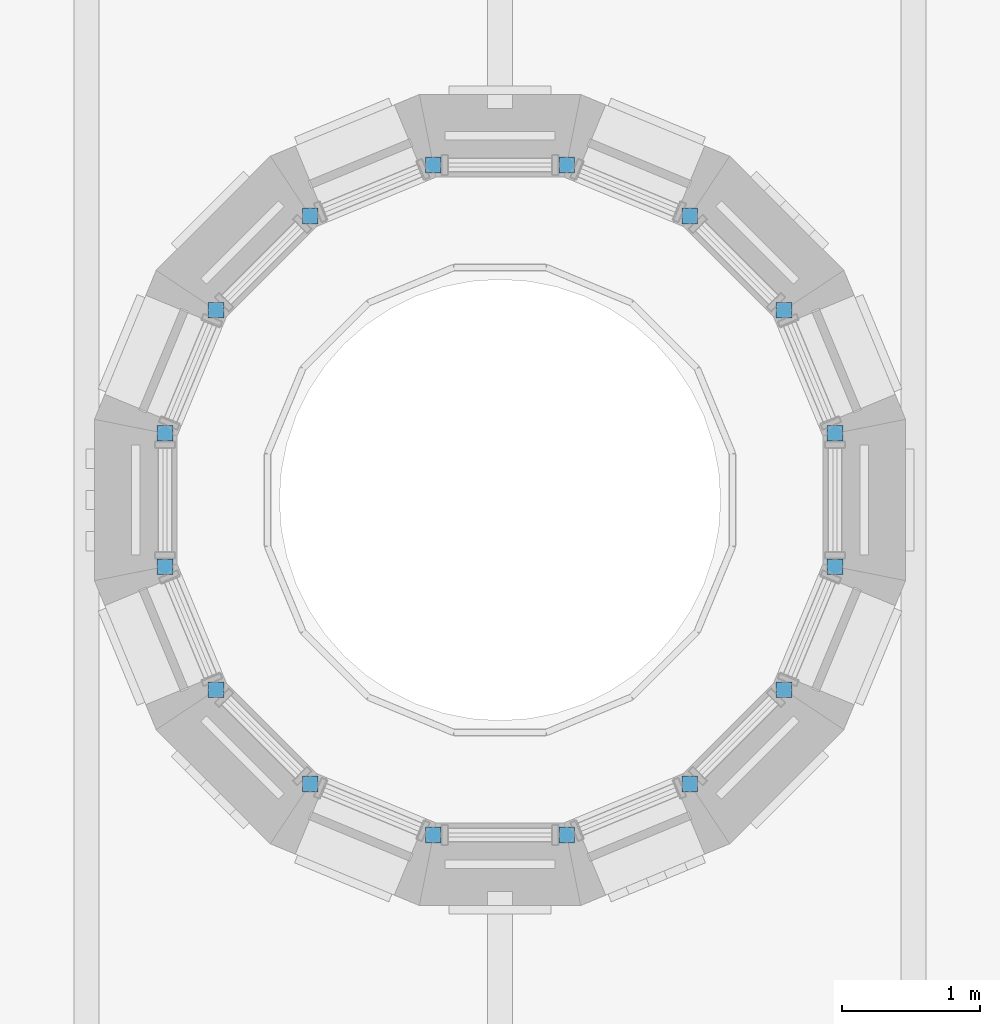
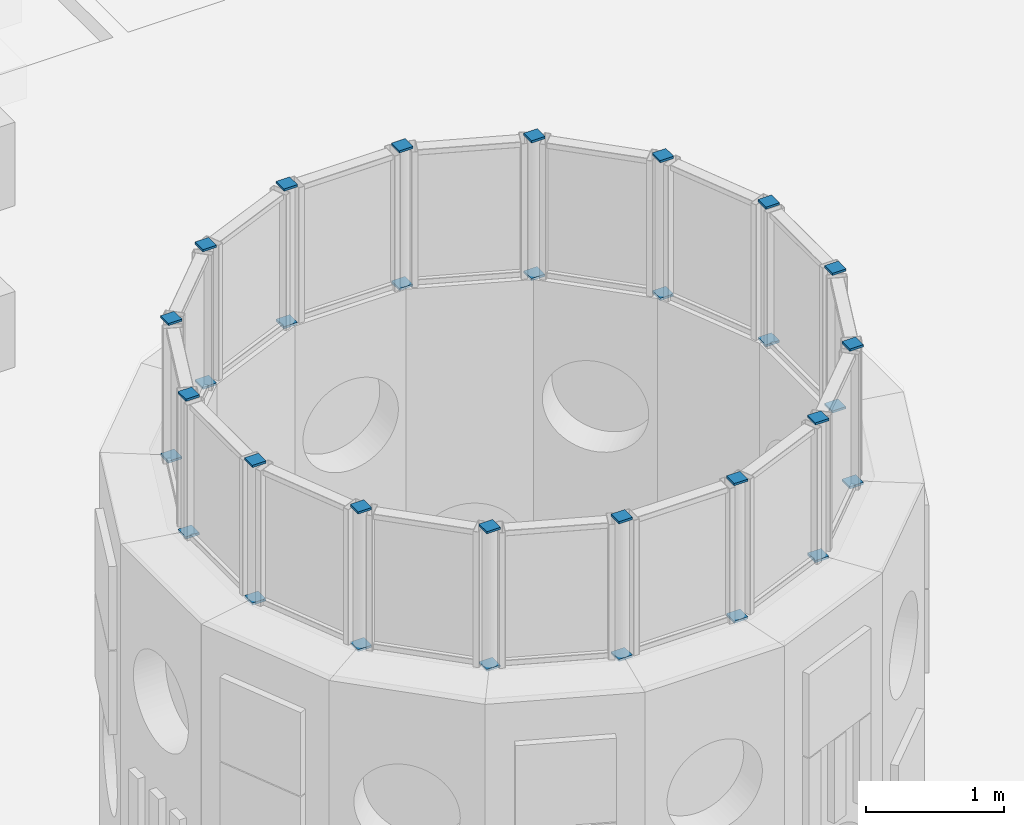
# One storey, part 60 of 98: 32 discrete accessories.
"""IFC4 building model written with IfcOpenShell, lengths in metres."""

from ifc_helpers import new_model, si_unit, direction, frame, origin, origin_2d, place, context, subcontext, project, spatial, rectangle, extrude, material, type_object, element, save


model = new_model("IFC4")

# Units and contexts
model_context = context("Model", 3, precision=1e-05, world=origin(), true_north=direction((0.0, 1.0)))
body_context = subcontext(model_context, "Body", "Model", "MODEL_VIEW")
ifc_project = project(units=[si_unit("LENGTHUNIT", "METRE"), si_unit("AREAUNIT", "SQUARE_METRE"), si_unit("VOLUMEUNIT", "CUBIC_METRE"), si_unit("PLANEANGLEUNIT", "RADIAN"), si_unit("MASSUNIT", "GRAM", prefix="KILO")], contexts=[model_context])

# Site, building, storey
site_placement = place(None, origin())
site = spatial("IfcSite", under=ifc_project, at=site_placement, CompositionType="ELEMENT")
building_placement = place(site_placement, origin())
building = spatial("IfcBuilding", under=site, at=building_placement, Name="Sun Court Science Centre", CompositionType="ELEMENT")
storey_placement = place(building_placement, frame((0.0, 0.0, 15.75)))
storey = spatial("IfcBuildingStorey", under=building, at=storey_placement, Name="L03", CompositionType="ELEMENT", Elevation=15.75)

# Discrete accessories
ifc_material = material(Name="Steel S355", Category="steel")
discrete_accessory_type = type_object("IfcDiscreteAccessoryType", Name="Hollow section end plate 20", PredefinedType="BRACKET", material=ifc_material)
for number, where, z_axis, x_axis, name in (
    (1, (32.4306640625, 11.9833984375, 3.429931640625), (0.0, 0.0, 1.0), (1.0, 0.0, 0.0), "Cone 3 clerestory post 1 end plate"),
    (2, (32.4306640625, 11.9833984375, 4.64990234375), (0.0, 0.0, 1.0), (1.0, 0.0, 0.0), "Cone 3 clerestory post 1 end plate"),
    (3, (32.060546875, 12.876953125, 3.429931640625), (0.0, 0.0, 1.0), (1.0, 0.0, 0.0), "Cone 3 clerestory post 2 end plate"),
    (4, (32.060546875, 12.876953125, 4.64990234375), (0.0, 0.0, 1.0), (1.0, 0.0, 0.0), "Cone 3 clerestory post 2 end plate"),
    (5, (31.376953125, 13.560546875, 3.429931640625), (0.0, 0.0, 1.0), (1.0, 0.0, 0.0), "Cone 3 clerestory post 3 end plate"),
    (6, (31.376953125, 13.560546875, 4.64990234375), (0.0, 0.0, 1.0), (1.0, 0.0, 0.0), "Cone 3 clerestory post 3 end plate"),
    (7, (30.4833984375, 13.9306640625, 3.429931640625), (0.0, 0.0, 1.0), (1.0, 0.0, 0.0), "Cone 3 clerestory post 4 end plate"),
    (8, (30.4833984375, 13.9306640625, 4.64990234375), (0.0, 0.0, 1.0), (1.0, 0.0, 0.0), "Cone 3 clerestory post 4 end plate"),
    (9, (29.5166015625, 13.9306640625, 3.429931640625), (0.0, 0.0, 1.0), (1.0, 0.0, 0.0), "Cone 3 clerestory post 5 end plate"),
    (10, (29.5166015625, 13.9306640625, 4.64990234375), (0.0, 0.0, 1.0), (1.0, 0.0, 0.0), "Cone 3 clerestory post 5 end plate"),
    (11, (28.623046875, 13.560546875, 3.429931640625), (0.0, 0.0, 1.0), (1.0, 0.0, 0.0), "Cone 3 clerestory post 6 end plate"),
    (12, (28.623046875, 13.560546875, 4.64990234375), (0.0, 0.0, 1.0), (1.0, 0.0, 0.0), "Cone 3 clerestory post 6 end plate"),
    (13, (27.939453125, 12.876953125, 3.429931640625), (0.0, 0.0, 1.0), (1.0, 0.0, 0.0), "Cone 3 clerestory post 7 end plate"),
    (14, (27.939453125, 12.876953125, 4.64990234375), (0.0, 0.0, 1.0), (1.0, 0.0, 0.0), "Cone 3 clerestory post 7 end plate"),
    (15, (27.5693359375, 11.9833984375, 3.429931640625), (0.0, 0.0, 1.0), (1.0, 0.0, 0.0), "Cone 3 clerestory post 8 end plate"),
    (16, (27.5693359375, 11.9833984375, 4.64990234375), (0.0, 0.0, 1.0), (1.0, 0.0, 0.0), "Cone 3 clerestory post 8 end plate"),
    (17, (27.5693359375, 11.0166015625, 3.429931640625), (0.0, 0.0, 1.0), (1.0, 0.0, 0.0), "Cone 3 clerestory post 9 end plate"),
    (18, (27.5693359375, 11.0166015625, 4.64990234375), (0.0, 0.0, 1.0), (1.0, 0.0, 0.0), "Cone 3 clerestory post 9 end plate"),
    (19, (27.939453125, 10.123046875, 3.429931640625), (0.0, 0.0, 1.0), (1.0, 0.0, 0.0), "Cone 3 clerestory post 10 end plate"),
    (20, (27.939453125, 10.123046875, 4.64990234375), (0.0, 0.0, 1.0), (1.0, 0.0, 0.0), "Cone 3 clerestory post 10 end plate"),
    (21, (28.623046875, 9.439453125, 3.429931640625), (0.0, 0.0, 1.0), (1.0, 0.0, 0.0), "Cone 3 clerestory post 11 end plate"),
    (22, (28.623046875, 9.439453125, 4.64990234375), (0.0, 0.0, 1.0), (1.0, 0.0, 0.0), "Cone 3 clerestory post 11 end plate"),
    (23, (29.5166015625, 9.0693359375, 3.429931640625), (0.0, 0.0, 1.0), (1.0, 0.0, 0.0), "Cone 3 clerestory post 12 end plate"),
    (24, (29.5166015625, 9.0693359375, 4.64990234375), (0.0, 0.0, 1.0), (1.0, 0.0, 0.0), "Cone 3 clerestory post 12 end plate"),
    (25, (30.4833984375, 9.0693359375, 3.429931640625), (0.0, 0.0, 1.0), (1.0, 0.0, 0.0), "Cone 3 clerestory post 13 end plate"),
    (26, (30.4833984375, 9.0693359375, 4.64990234375), (0.0, 0.0, 1.0), (1.0, 0.0, 0.0), "Cone 3 clerestory post 13 end plate"),
    (27, (31.376953125, 9.439453125, 3.429931640625), (0.0, 0.0, 1.0), (1.0, 0.0, 0.0), "Cone 3 clerestory post 14 end plate"),
    (28, (31.376953125, 9.439453125, 4.64990234375), (0.0, 0.0, 1.0), (1.0, 0.0, 0.0), "Cone 3 clerestory post 14 end plate"),
    (29, (32.060546875, 10.123046875, 3.429931640625), (0.0, 0.0, 1.0), (1.0, 0.0, 0.0), "Cone 3 clerestory post 15 end plate"),
    (30, (32.060546875, 10.123046875, 4.64990234375), (0.0, 0.0, 1.0), (1.0, 0.0, 0.0), "Cone 3 clerestory post 15 end plate"),
    (31, (32.4306640625, 11.0166015625, 3.429931640625), (0.0, 0.0, 1.0), (1.0, 0.0, 0.0), "Cone 3 clerestory post 16 end plate"),
    (32, (32.4306640625, 11.0166015625, 4.64990234375), (0.0, 0.0, 1.0), (1.0, 0.0, 0.0), "Cone 3 clerestory post 16 end plate"),
):
    element("IfcDiscreteAccessory", number, at=place(storey_placement, frame(where, z_axis=z_axis, x_axis=x_axis)), inside=storey, type_object=discrete_accessory_type, Name=name, PredefinedType="BRACKET", context=body_context, shape_type="SweptSolid", body=[
        extrude(rectangle(XDim=0.114013671875, YDim=0.114013671875, at=origin_2d()), origin(), (0.0, 0.0, 1.0), 0.02001953125),
    ])

save(model, "model.ifc")
